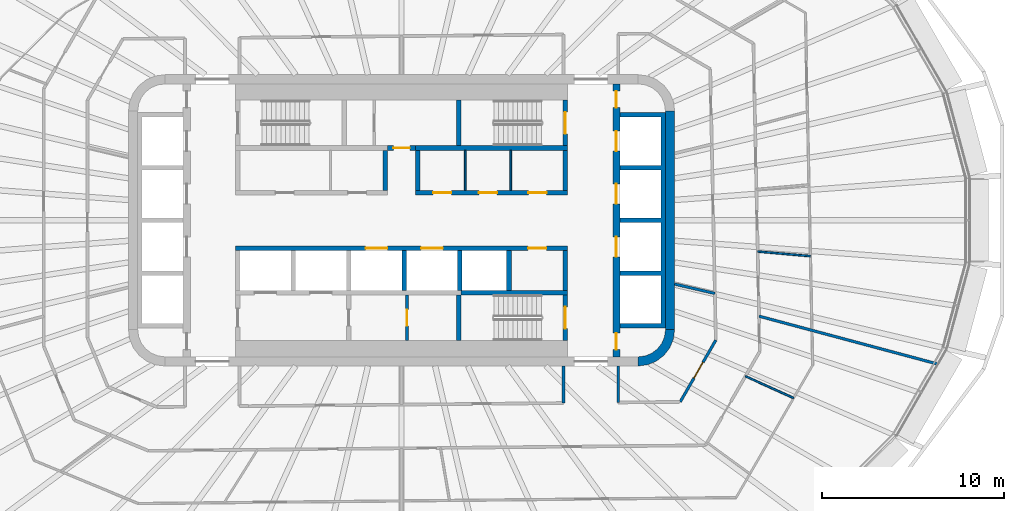
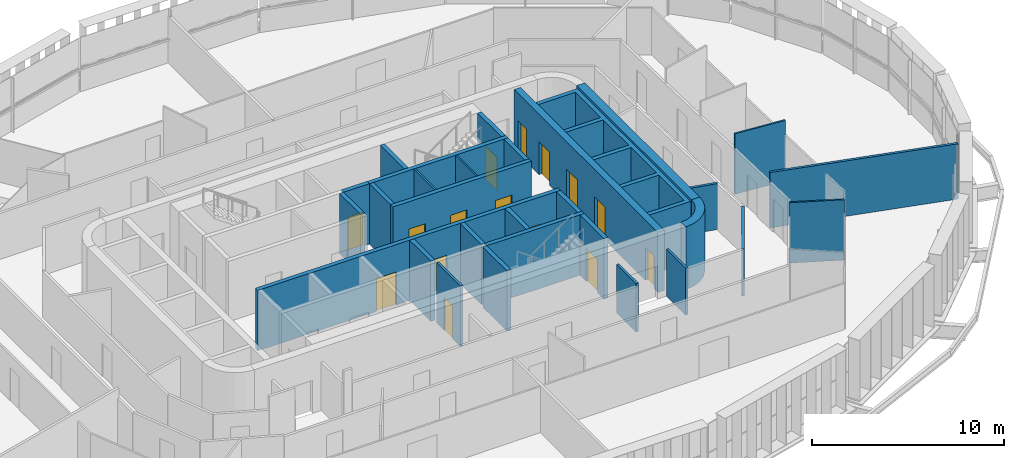
# One storey, part 13 of 23: 30 walls, 16 doors, 16 openings.
"""IFC4 building model written with IfcOpenShell, lengths in metres."""

from ifc_helpers import new_model, si_unit, direction, frame, frame_2d, origin, place, context, subcontext, project, spatial, polyline, rectangle, outline, extrude, material, layer, layer_set, type_object, element, fill, save


model = new_model("IFC4")

# Units and contexts
model_context = context("Model", 3, precision=1e-05, world=origin(), true_north=direction((0.0, 1.0)))
body_context = subcontext(model_context, "Body", "Model", "MODEL_VIEW")
ifc_project = project(units=[si_unit("LENGTHUNIT", "METRE"), si_unit("AREAUNIT", "SQUARE_METRE"), si_unit("VOLUMEUNIT", "CUBIC_METRE"), si_unit("PLANEANGLEUNIT", "RADIAN"), si_unit("MASSUNIT", "GRAM", prefix="KILO")], contexts=[model_context])

# Site, building, storey
site_placement = place(None, origin())
site = spatial("IfcSite", under=ifc_project, at=site_placement, CompositionType="ELEMENT")
building_placement = place(site_placement, origin())
building = spatial("IfcBuilding", under=site, at=building_placement, Name="Sahrelin Media Tower", CompositionType="ELEMENT")
storey_placement = place(building_placement, frame((0.0, 0.0, 169.60009765625)))
storey = spatial("IfcBuildingStorey", under=building, at=storey_placement, Name="L35", CompositionType="ELEMENT", Elevation=169.60009765625)

# Walls
ifc_material_1 = material(Name="Concrete C60/75", Category="concrete")
ifc_layer_1 = layer(ifc_material_1, 0.5)
ifc_layer_set_1 = layer_set([ifc_layer_1], Name="Core wall 500")
wall_type_1 = type_object("IfcWallType", Name="Core wall 500", PredefinedType="SHEAR", material=ifc_layer_set_1)
wall_1_placement = place(storey_placement, frame((14.75, -6.0, 0.0), z_axis=(0.0, 0.0, 1.0), x_axis=(0.0, 1.0, 0.0)))
element("IfcWall", 1, at=wall_1_placement, inside=storey, type_object=wall_type_1, Name="Core wall E L35", PredefinedType="SHEAR", context=body_context, shape_type="SweptSolid", body=[
    extrude(rectangle(XDim=12.0, YDim=0.5, at=frame_2d((6.0, 0.0))), origin(), (0.0, 0.0, 1.0), 4.0),
])
placement = place(storey_placement, origin())
element("IfcWall", 2, at=placement, inside=storey, type_object=wall_type_1, Name="Core wall corner SE L35", PredefinedType="SHEAR", context=body_context, shape_type="SweptSolid", body=[
    extrude(outline(polyline([(15.0, -6.0), (14.49560546875, -6.0), (14.44482421875, -6.38720703125), (14.29541015625, -6.747802734375), (14.0576171875, -7.0576171875), (13.747802734375, -7.29541015625), (13.38720703125, -7.44482421875), (13.0, -7.49560546875), (13.0, -8.0), (13.517578125, -7.931884765625), (14.0, -7.732177734375), (14.414306640625, -7.414306640625), (14.732177734375, -7.0), (14.931884765625, -6.517578125), (15.0, -6.0)])), origin(), (0.0, 0.0, 1.0), 4.0),
])

# Wall, opening, door
ifc_material_2 = material(Name="Fire-rated gypsum board partition")
ifc_layer_2 = layer(ifc_material_2, 0.25)
ifc_layer_set_2 = layer_set([ifc_layer_2], Name="Fire-rated lobby wall 250")
wall_type_2 = type_object("IfcWallType", Name="Fire-rated lobby wall 250", PredefinedType="PARTITIONING", material=ifc_layer_set_2)
wall_3_placement = place(storey_placement, frame((-0.77490234375, 3.97509765625, 0.0), z_axis=(0.0, 0.0, 1.0), x_axis=(1.0, 0.0, 0.0)))
wall_3 = element("IfcWall", 3, at=wall_3_placement, inside=storey, type_object=wall_type_2, Name="Core lobby wall", PredefinedType="PARTITIONING", context=body_context, shape_type="SweptSolid", body=[
    extrude(rectangle(XDim=1.5498046875, YDim=0.25, at=frame_2d((0.77490234375, 0.0))), origin(), (0.0, 0.0, 1.0), 3.849853515625),
])
opening_1_placement = place(wall_3_placement, frame((0.324951171875, 0.0, 0.0)))
opening_1 = element("IfcOpeningElement", 4, at=opening_1_placement, cuts=wall_3, Name="Opening L35-D06", PredefinedType="OPENING", context=body_context, shape_type="SweptSolid", body=[
    extrude(rectangle(XDim=0.89990234375, YDim=2.10009765625, at=frame_2d((0.449951171875, 1.050048828125))), frame((0.0, 0.125, 0.0), z_axis=(0.0, -1.0, 0.0), x_axis=(1.0, 0.0, 0.0)), (0.0, 0.0, 1.0), 0.25),
])
ifc_material_3 = material(Name="Steel fire door leaf", Category="steel")
door_type_1 = type_object("IfcDoorType", Name="Riser door 900 x 2100 EI 120", OperationType="NOTDEFINED", PredefinedType="DOOR", material=ifc_material_3)
door_1_placement = place(opening_1_placement, origin())
door_1 = element("IfcDoor", 5, at=door_1_placement, inside=storey, type_object=door_type_1, Name="Core room door", OperationType="SINGLE_SWING_LEFT", OverallHeight=2.10009765625, OverallWidth=0.89990234375, PredefinedType="DOOR", context=body_context, shape_type="SweptSolid", body=[
    extrude(rectangle(XDim=0.89990234375, YDim=2.10009765625, at=frame_2d((0.449951171875, 1.050048828125))), frame((0.0, 0.02490234375, 0.0), z_axis=(0.0, -1.0, 0.0), x_axis=(1.0, 0.0, 0.0)), (0.0, 0.0, 1.0), 0.050048828125),
])
fill(opening_1, door_1)

# Wall, openings, doors
wall_4_placement = place(storey_placement, frame((0.77490234375, 1.52490234375, 0.0), z_axis=(0.0, 0.0, 1.0), x_axis=(1.0, 0.0, 0.0)))
wall_4 = element("IfcWall", 6, at=wall_4_placement, inside=storey, type_object=wall_type_2, Name="Core lobby wall", PredefinedType="PARTITIONING", context=body_context, shape_type="SweptSolid", body=[
    extrude(rectangle(XDim=8.35009765625, YDim=0.25, at=frame_2d((4.175048828125, 0.0))), origin(), (0.0, 0.0, 1.0), 3.849853515625),
])
opening_2_placement = place(wall_4_placement, frame((0.96240234375, 0.0, 0.0)))
opening_2 = element("IfcOpeningElement", 7, at=opening_2_placement, cuts=wall_4, Name="Opening L35-D11", PredefinedType="OPENING", context=body_context, shape_type="SweptSolid", body=[
    extrude(rectangle(XDim=1.0, YDim=2.10009765625, at=frame_2d((0.5, 1.050048828125))), frame((0.0, 0.125, 0.0), z_axis=(0.0, -1.0, 0.0), x_axis=(1.0, 0.0, 0.0)), (0.0, 0.0, 1.0), 0.25),
])
opening_3_placement = place(wall_4_placement, frame((3.47509765625, 0.0, 0.0)))
opening_3 = element("IfcOpeningElement", 8, at=opening_3_placement, cuts=wall_4, Name="Opening L35-D12", PredefinedType="OPENING", context=body_context, shape_type="SweptSolid", body=[
    extrude(rectangle(XDim=1.0, YDim=2.10009765625, at=frame_2d((0.5, 1.050048828125))), frame((0.0, 0.125, 0.0), z_axis=(0.0, -1.0, 0.0), x_axis=(1.0, 0.0, 0.0)), (0.0, 0.0, 1.0), 0.25),
])
opening_4_placement = place(wall_4_placement, frame((6.1875, 0.0, 0.0)))
opening_4 = element("IfcOpeningElement", 9, at=opening_4_placement, cuts=wall_4, Name="Opening L35-D13", PredefinedType="OPENING", context=body_context, shape_type="SweptSolid", body=[
    extrude(rectangle(XDim=1.0, YDim=2.10009765625, at=frame_2d((0.5, 1.050048828125))), frame((0.0, 0.125, 0.0), z_axis=(0.0, -1.0, 0.0), x_axis=(1.0, 0.0, 0.0)), (0.0, 0.0, 1.0), 0.25),
])
door_type_2 = type_object("IfcDoorType", Name="Fire door 1000 x 2100 EI 60", OperationType="NOTDEFINED", PredefinedType="DOOR", material=ifc_material_3)
door_2_placement = place(opening_2_placement, origin())
door_2 = element("IfcDoor", 10, at=door_2_placement, inside=storey, type_object=door_type_2, Name="Core room door", OperationType="SINGLE_SWING_LEFT", OverallHeight=2.10009765625, OverallWidth=1.0, PredefinedType="DOOR", context=body_context, shape_type="SweptSolid", body=[
    extrude(rectangle(XDim=1.0, YDim=2.10009765625, at=frame_2d((0.5, 1.050048828125))), frame((0.0, 0.02490234375, 0.0), z_axis=(0.0, -1.0, 0.0), x_axis=(1.0, 0.0, 0.0)), (0.0, 0.0, 1.0), 0.050048828125),
])
fill(opening_2, door_2)
door_3_placement = place(opening_3_placement, origin())
door_3 = element("IfcDoor", 11, at=door_3_placement, inside=storey, type_object=door_type_2, Name="Core room door", OperationType="SINGLE_SWING_LEFT", OverallHeight=2.10009765625, OverallWidth=1.0, PredefinedType="DOOR", context=body_context, shape_type="SweptSolid", body=[
    extrude(rectangle(XDim=1.0, YDim=2.10009765625, at=frame_2d((0.5, 1.050048828125))), frame((0.0, 0.02490234375, 0.0), z_axis=(0.0, -1.0, 0.0), x_axis=(1.0, 0.0, 0.0)), (0.0, 0.0, 1.0), 0.050048828125),
])
fill(opening_3, door_3)
door_4_placement = place(opening_4_placement, origin())
door_4 = element("IfcDoor", 12, at=door_4_placement, inside=storey, type_object=door_type_2, Name="Core room door", OperationType="SINGLE_SWING_LEFT", OverallHeight=2.10009765625, OverallWidth=1.0, PredefinedType="DOOR", context=body_context, shape_type="SweptSolid", body=[
    extrude(rectangle(XDim=1.0, YDim=2.10009765625, at=frame_2d((0.5, 1.050048828125))), frame((0.0, 0.02490234375, 0.0), z_axis=(0.0, -1.0, 0.0), x_axis=(1.0, 0.0, 0.0)), (0.0, 0.0, 1.0), 0.050048828125),
])
fill(opening_4, door_4)

# Walls
for number, where, z_axis, x_axis, name in (
    (13, (-0.89990234375, 1.64990234375, 0.0), (0.0, 0.0, 1.0), (0.0, 1.0, 0.0), "Core lobby wall"),
    (14, (9.0, 1.64990234375, 0.0), (0.0, 0.0, 1.0), (0.0, 1.0, 0.0), "Core lobby wall"),
    (15, (0.89990234375, 1.64990234375, 0.0), (0.0, 0.0, 1.0), (0.0, 1.0, 0.0), "Core lobby wall"),
):
    element("IfcWall", number, at=place(storey_placement, frame(where, z_axis=z_axis, x_axis=x_axis)), inside=storey, type_object=wall_type_2, Name=name, PredefinedType="PARTITIONING", context=body_context, shape_type="SweptSolid", body=[
        extrude(rectangle(XDim=2.2001953125, YDim=0.25, at=frame_2d((1.10009765625, 0.0))), origin(), (0.0, 0.0, 1.0), 3.849853515625),
    ])
ifc_layer_3 = layer(ifc_material_2, 0.10009765625)
ifc_layer_set_3 = layer_set([ifc_layer_3], Name="Fire-rated partition 100")
wall_type_3 = type_object("IfcWallType", Name="Fire-rated partition 100", PredefinedType="PARTITIONING", material=ifc_layer_set_3)
for number, where, z_axis, x_axis, name in (
    (16, (3.5, 1.64990234375, 0.0), (0.0, 0.0, 1.0), (0.0, 1.0, 0.0), "Core room partition"),
    (17, (6.0, 1.64990234375, 0.0), (0.0, 0.0, 1.0), (0.0, 1.0, 0.0), "Core room partition"),
):
    element("IfcWall", number, at=place(storey_placement, frame(where, z_axis=z_axis, x_axis=x_axis)), inside=storey, type_object=wall_type_3, Name=name, PredefinedType="PARTITIONING", context=body_context, shape_type="SweptSolid", body=[
        extrude(rectangle(XDim=2.2001953125, YDim=0.10009765625, at=frame_2d((1.10009765625, 0.0))), origin(), (0.0, 0.0, 1.0), 3.849853515625),
    ])

# Wall, opening, door
ifc_layer_4 = layer(ifc_material_2, 0.14990234375)
ifc_layer_set_4 = layer_set([ifc_layer_4], Name="Fire-rated partition 150")
wall_type_4 = type_object("IfcWallType", Name="Fire-rated partition 150", PredefinedType="PARTITIONING", material=ifc_layer_set_4)
wall_5_placement = place(storey_placement, frame((0.300048828125, -6.60009765625, 0.0), z_axis=(0.0, 0.0, 1.0), x_axis=(0.0, 1.0, 0.0)))
wall_5 = element("IfcWall", 18, at=wall_5_placement, inside=storey, type_object=wall_type_4, Name="Core room fire partition", PredefinedType="PARTITIONING", context=body_context, shape_type="SweptSolid", body=[
    extrude(rectangle(XDim=2.5, YDim=0.14990234375, at=frame_2d((1.25, 0.0))), origin(), (0.0, 0.0, 1.0), 3.849853515625),
])
opening_5_placement = place(wall_5_placement, frame((0.800048828125, 0.0, 0.0)))
opening_5 = element("IfcOpeningElement", 19, at=opening_5_placement, cuts=wall_5, Name="Opening L35-D08", PredefinedType="OPENING", context=body_context, shape_type="SweptSolid", body=[
    extrude(rectangle(XDim=0.89990234375, YDim=2.10009765625, at=frame_2d((0.449951171875, 1.050048828125))), frame((0.0, 0.074951171875, 0.0), z_axis=(0.0, -1.0, 0.0), x_axis=(1.0, 0.0, 0.0)), (0.0, 0.0, 1.0), 0.14990234375),
])
door_type_3 = type_object("IfcDoorType", Name="Fire door 900 x 2100 EI 60", OperationType="NOTDEFINED", PredefinedType="DOOR", material=ifc_material_3)
door_5_placement = place(opening_5_placement, origin())
door_5 = element("IfcDoor", 20, at=door_5_placement, inside=storey, type_object=door_type_3, Name="Core room door", OperationType="SINGLE_SWING_RIGHT", OverallHeight=2.10009765625, OverallWidth=0.89990234375, PredefinedType="DOOR", context=body_context, shape_type="SweptSolid", body=[
    extrude(rectangle(XDim=0.89990234375, YDim=2.10009765625, at=frame_2d((0.449951171875, 1.050048828125))), frame((0.0, 0.02490234375, 0.0), z_axis=(0.0, -1.0, 0.0), x_axis=(1.0, 0.0, 0.0)), (0.0, 0.0, 1.0), 0.050048828125),
])
fill(opening_5, door_5)

# Walls
wall_6_placement = place(storey_placement, frame((19.635986328125, -5.261962890625, 0.0), z_axis=(0.0, 0.0, 1.0), x_axis=(0.965927163809, -0.258814053357, 0.0)))
element("IfcWall", 21, at=wall_6_placement, inside=storey, type_object=wall_type_4, Name="Wall", PredefinedType="PARTITIONING", context=body_context, shape_type="SweptSolid", body=[
    extrude(rectangle(XDim=10.173583984375, YDim=0.14990234375, at=frame_2d((5.0869140625, 0.0))), origin(), (0.0, 0.0, 1.0), 3.526611328125),
])
wall_7_placement = place(storey_placement, frame((15.0, -3.4990234375, 0.0), z_axis=(0.0, 0.0, 1.0), x_axis=(0.973869783381, -0.22710712234, 0.0)))
element("IfcWall", 22, at=wall_7_placement, inside=storey, type_object=wall_type_4, Name="Wall", PredefinedType="PARTITIONING", context=body_context, shape_type="SweptSolid", body=[
    extrude(rectangle(XDim=2.268310546875, YDim=0.14990234375, at=frame_2d((1.13427734375, 0.0))), origin(), (0.0, 0.0, 1.0), 2.927001953125),
])

# Wall, opening, door
wall_8_placement = place(storey_placement, frame((15.305908203125, -9.968994140625, 0.0), z_axis=(0.0, 0.0, 1.0), x_axis=(0.499690037699, 0.866204286658, 0.0)))
wall_8 = element("IfcWall", 23, at=wall_8_placement, inside=storey, type_object=wall_type_4, Name="Wall", PredefinedType="PARTITIONING", context=body_context, shape_type="SweptSolid", body=[
    extrude(rectangle(XDim=3.912109375, YDim=0.14990234375, at=frame_2d((1.9560546875, 0.0))), origin(), (0.0, 0.0, 1.0), 2.994873046875),
])
opening_6_placement = place(wall_8_placement, frame((1.51318359375, 0.0, 0.0)))
opening_6 = element("IfcOpeningElement", 24, at=opening_6_placement, cuts=wall_8, Name="Opening L35-D25", PredefinedType="OPENING", context=body_context, shape_type="SweptSolid", body=[
    extrude(rectangle(XDim=1.0, YDim=2.10009765625, at=frame_2d((0.5, 1.050048828125))), frame((0.0, 0.074951171875, 0.0), z_axis=(0.0, -1.0, 0.0), x_axis=(1.0, 0.0, 0.0)), (0.0, 0.0, 1.0), 0.14990234375),
])
door_6_placement = place(opening_6_placement, origin())
door_6 = element("IfcDoor", 25, at=door_6_placement, inside=storey, type_object=door_type_2, Name="Fire door", OperationType="SINGLE_SWING_RIGHT", OverallHeight=2.10009765625, OverallWidth=1.0, PredefinedType="DOOR", context=body_context, shape_type="SweptSolid", body=[
    extrude(rectangle(XDim=1.0, YDim=2.10009765625, at=frame_2d((0.5, 1.050048828125))), frame((0.0, 0.02490234375, 0.0), z_axis=(0.0, -1.0, 0.0), x_axis=(1.0, 0.0, 0.0)), (0.0, 0.0, 1.0), 0.050048828125),
])
fill(opening_6, door_6)

# Walls
wall_9_placement = place(storey_placement, frame((11.89990234375, -10.0, 0.0), z_axis=(0.0, 0.0, 1.0), x_axis=(0.0, 1.0, 0.0)))
element("IfcWall", 26, at=wall_9_placement, inside=storey, type_object=wall_type_4, Name="Wall", PredefinedType="PARTITIONING", context=body_context, shape_type="SweptSolid", body=[
    extrude(rectangle(XDim=2.0, YDim=0.14990234375, at=frame_2d((1.0, 0.0))), origin(), (0.0, 0.0, 1.0), 2.994873046875),
])
wall_10_placement = place(storey_placement, frame((8.89990234375, -10.032958984375, 0.0), z_axis=(0.0, 0.0, 1.0), x_axis=(0.0, 1.0, 0.0)))
element("IfcWall", 27, at=wall_10_placement, inside=storey, type_object=wall_type_4, Name="Wall", PredefinedType="PARTITIONING", context=body_context, shape_type="SweptSolid", body=[
    extrude(rectangle(XDim=2.032958984375, YDim=0.14990234375, at=frame_2d((1.0166015625, 0.0))), origin(), (0.0, 0.0, 1.0), 3.075927734375),
])

# Wall, openings, doors
ifc_layer_5 = layer(ifc_material_1, 0.25)
ifc_layer_set_5 = layer_set([ifc_layer_5], Name="Lift shaft wall 250")
wall_type_5 = type_object("IfcWallType", Name="Lift shaft wall 250", PredefinedType="SOLIDWALL", material=ifc_layer_set_5)
wall_11_placement = place(storey_placement, frame((-9.125, -1.52490234375, 0.0), z_axis=(0.0, 0.0, 1.0), x_axis=(1.0, 0.0, 0.0)))
wall_11 = element("IfcWall", 28, at=wall_11_placement, inside=storey, type_object=wall_type_5, Name="Lift shaft wall", PredefinedType="SOLIDWALL", context=body_context, shape_type="SweptSolid", body=[
    extrude(rectangle(XDim=18.25, YDim=0.25, at=frame_2d((9.125, 0.0))), origin(), (0.0, 0.0, 1.0), 3.849853515625),
])
opening_7_placement = place(wall_11_placement, frame((7.14990234375, 0.0, 0.0)))
opening_7 = element("IfcOpeningElement", 29, at=opening_7_placement, cuts=wall_11, Name="Opening L35-LD-SV1", PredefinedType="OPENING", context=body_context, shape_type="SweptSolid", body=[
    extrude(rectangle(XDim=1.199951171875, YDim=2.10009765625, at=frame_2d((0.60009765625, 1.050048828125))), frame((0.0, 0.125, 0.0), z_axis=(0.0, -1.0, 0.0), x_axis=(1.0, 0.0, 0.0)), (0.0, 0.0, 1.0), 0.25),
])
opening_8_placement = place(wall_11_placement, frame((10.199951171875, 0.0, 0.0)))
opening_8 = element("IfcOpeningElement", 30, at=opening_8_placement, cuts=wall_11, Name="Opening L35-LD-SV2", PredefinedType="OPENING", context=body_context, shape_type="SweptSolid", body=[
    extrude(rectangle(XDim=1.199951171875, YDim=2.10009765625, at=frame_2d((0.60009765625, 1.050048828125))), frame((0.0, 0.125, 0.0), z_axis=(0.0, -1.0, 0.0), x_axis=(1.0, 0.0, 0.0)), (0.0, 0.0, 1.0), 0.25),
])
opening_9_placement = place(wall_11_placement, frame((16.074951171875, 0.0, 0.0)))
opening_9 = element("IfcOpeningElement", 31, at=opening_9_placement, cuts=wall_11, Name="Opening L35-D14", PredefinedType="OPENING", context=body_context, shape_type="SweptSolid", body=[
    extrude(rectangle(XDim=1.0, YDim=2.10009765625, at=frame_2d((0.5, 1.050048828125))), frame((0.0, 0.125, 0.0), z_axis=(0.0, -1.0, 0.0), x_axis=(1.0, 0.0, 0.0)), (0.0, 0.0, 1.0), 0.25),
])
door_7_placement = place(opening_9_placement, origin())
door_7 = element("IfcDoor", 32, at=door_7_placement, inside=storey, type_object=door_type_2, Name="Core room door", OperationType="SINGLE_SWING_RIGHT", OverallHeight=2.10009765625, OverallWidth=1.0, PredefinedType="DOOR", context=body_context, shape_type="SweptSolid", body=[
    extrude(rectangle(XDim=1.0, YDim=2.10009765625, at=frame_2d((0.5, 1.050048828125))), frame((0.0, 0.02490234375, 0.0), z_axis=(0.0, -1.0, 0.0), x_axis=(1.0, 0.0, 0.0)), (0.0, 0.0, 1.0), 0.050048828125),
])
fill(opening_9, door_7)
ifc_material_4 = material(Name="Stainless steel", Category="steel")
door_type_4 = type_object("IfcDoorType", Name="Lift landing door 1200 x 2100 EI 120", OperationType="DOUBLE_DOOR_SLIDING", PredefinedType="DOOR", material=ifc_material_4)
door_8_placement = place(opening_7_placement, origin())
door_8 = element("IfcDoor", 33, at=door_8_placement, inside=storey, type_object=door_type_4, Name="Lift landing door SV1", OperationType="DOUBLE_DOOR_SLIDING", OverallHeight=2.10009765625, OverallWidth=1.199951171875, PredefinedType="DOOR", context=body_context, shape_type="SweptSolid", body=[
    extrude(rectangle(XDim=1.199951171875, YDim=2.10009765625, at=frame_2d((0.60009765625, 1.050048828125))), frame((0.0, 0.02490234375, 0.0), z_axis=(0.0, -1.0, 0.0), x_axis=(1.0, 0.0, 0.0)), (0.0, 0.0, 1.0), 0.050048828125),
])
fill(opening_7, door_8)
door_9_placement = place(opening_8_placement, origin())
door_9 = element("IfcDoor", 34, at=door_9_placement, inside=storey, type_object=door_type_4, Name="Lift landing door SV2", OperationType="DOUBLE_DOOR_SLIDING", OverallHeight=2.10009765625, OverallWidth=1.199951171875, PredefinedType="DOOR", context=body_context, shape_type="SweptSolid", body=[
    extrude(rectangle(XDim=1.199951171875, YDim=2.10009765625, at=frame_2d((0.60009765625, 1.050048828125))), frame((0.0, 0.02490234375, 0.0), z_axis=(0.0, -1.0, 0.0), x_axis=(1.0, 0.0, 0.0)), (0.0, 0.0, 1.0), 0.050048828125),
])
fill(opening_8, door_9)

# Walls
wall_12_placement = place(storey_placement, frame((3.27490234375, -3.97509765625, 0.0), z_axis=(0.0, 0.0, 1.0), x_axis=(1.0, 0.0, 0.0)))
element("IfcWall", 35, at=wall_12_placement, inside=storey, type_object=wall_type_5, Name="Lift shaft wall", PredefinedType="SOLIDWALL", context=body_context, shape_type="SweptSolid", body=[
    extrude(rectangle(XDim=5.85009765625, YDim=0.25, at=frame_2d((2.925048828125, 0.0))), origin(), (0.0, 0.0, 1.0), 3.849853515625),
])
for number, where, z_axis, x_axis, name in (
    (36, (0.14990234375, -3.85009765625, 0.0), (0.0, 0.0, 1.0), (0.0, 1.0, 0.0), "Lift shaft wall"),
    (37, (3.199951171875, -3.85009765625, 0.0), (0.0, 0.0, 1.0), (0.0, 1.0, 0.0), "Lift shaft wall"),
    (38, (5.89990234375, -3.85009765625, 0.0), (0.0, 0.0, 1.0), (0.0, 1.0, 0.0), "Lift shaft wall"),
    (39, (9.0, -3.85009765625, 0.0), (0.0, 0.0, 1.0), (0.0, 1.0, 0.0), "Lift shaft wall"),
):
    element("IfcWall", number, at=place(storey_placement, frame(where, z_axis=z_axis, x_axis=x_axis)), inside=storey, type_object=wall_type_5, Name=name, PredefinedType="SOLIDWALL", context=body_context, shape_type="SweptSolid", body=[
        extrude(rectangle(XDim=2.2001953125, YDim=0.25, at=frame_2d((1.10009765625, 0.0))), origin(), (0.0, 0.0, 1.0), 3.849853515625),
    ])
element("IfcWall", 40, at=placement, inside=storey, type_object=wall_type_5, Name="Lift shaft wall", PredefinedType="SOLIDWALL", context=body_context, shape_type="SweptSolid", body=[
    extrude(outline(polyline([(12.0, -5.675048828125), (12.0, -5.925048828125), (14.25, -5.925048828125), (14.5, -5.925048828125), (14.5, -5.675048828125), (14.5, -3.02490234375), (14.5, -2.77490234375), (14.5, -0.125), (14.5, 0.125), (14.5, 2.77490234375), (14.5, 3.02490234375), (14.5, 5.675048828125), (14.5, 5.925048828125), (14.25, 5.925048828125), (12.0, 5.925048828125), (12.0, 5.675048828125), (14.25, 5.675048828125), (14.25, 3.02490234375), (12.0, 3.02490234375), (12.0, 2.77490234375), (14.25, 2.77490234375), (14.25, 0.125), (12.0, 0.125), (12.0, -0.125), (14.25, -0.125), (14.25, -2.77490234375), (12.0, -2.77490234375), (12.0, -3.02490234375), (14.25, -3.02490234375), (14.25, -5.675048828125), (12.0, -5.675048828125)])), origin(), (0.0, 0.0, 1.0), 3.849853515625),
])

# Wall, openings, doors
ifc_layer_6 = layer(ifc_material_1, 0.39990234375)
ifc_layer_set_6 = layer_set([ifc_layer_6], Name="Lift shaft wall 400")
wall_type_6 = type_object("IfcWallType", Name="Lift shaft wall 400", PredefinedType="SOLIDWALL", material=ifc_layer_set_6)
wall_14_placement = place(storey_placement, frame((11.800048828125, -7.5, 0.0), z_axis=(0.0, 0.0, 1.0), x_axis=(0.0, 1.0, 0.0)))
wall_14 = element("IfcWall", 41, at=wall_14_placement, inside=storey, type_object=wall_type_6, Name="Lift shaft wall", PredefinedType="SOLIDWALL", context=body_context, shape_type="SweptSolid", body=[
    extrude(rectangle(XDim=15.0, YDim=0.39990234375, at=frame_2d((7.5, 0.0))), origin(), (0.0, 0.0, 1.0), 3.849853515625),
])
opening_10_placement = place(wall_14_placement, frame((11.300048828125, 0.0, 0.0)))
opening_10 = element("IfcOpeningElement", 42, at=opening_10_placement, cuts=wall_14, Name="Opening L35-LD-LR4", PredefinedType="OPENING", context=body_context, shape_type="SweptSolid", body=[
    extrude(rectangle(XDim=1.10009765625, YDim=2.10009765625, at=frame_2d((0.550048828125, 1.050048828125))), frame((0.0, 0.199951171875, 0.0), z_axis=(0.0, -1.0, 0.0), x_axis=(1.0, 0.0, 0.0)), (0.0, 0.0, 1.0), 0.39990234375),
])
opening_11_placement = place(wall_14_placement, frame((8.39990234375, 0.0, 0.0)))
opening_11 = element("IfcOpeningElement", 43, at=opening_11_placement, cuts=wall_14, Name="Opening L35-LD-LR5", PredefinedType="OPENING", context=body_context, shape_type="SweptSolid", body=[
    extrude(rectangle(XDim=1.10009765625, YDim=2.10009765625, at=frame_2d((0.550048828125, 1.050048828125))), frame((0.0, 0.199951171875, 0.0), z_axis=(0.0, -1.0, 0.0), x_axis=(1.0, 0.0, 0.0)), (0.0, 0.0, 1.0), 0.39990234375),
])
opening_12_placement = place(wall_14_placement, frame((5.5, 0.0, 0.0)))
opening_12 = element("IfcOpeningElement", 44, at=opening_12_placement, cuts=wall_14, Name="Opening L35-LD-LR6", PredefinedType="OPENING", context=body_context, shape_type="SweptSolid", body=[
    extrude(rectangle(XDim=1.10009765625, YDim=2.10009765625, at=frame_2d((0.550048828125, 1.050048828125))), frame((0.0, 0.199951171875, 0.0), z_axis=(0.0, -1.0, 0.0), x_axis=(1.0, 0.0, 0.0)), (0.0, 0.0, 1.0), 0.39990234375),
])
opening_13_placement = place(wall_14_placement, frame((13.696533203125, 0.0, 0.0)))
opening_13 = element("IfcOpeningElement", 45, at=opening_13_placement, cuts=wall_14, Name="Opening L35-D17", PredefinedType="OPENING", context=body_context, shape_type="SweptSolid", body=[
    extrude(rectangle(XDim=0.89990234375, YDim=2.10009765625, at=frame_2d((0.449951171875, 1.050048828125))), frame((0.0, 0.199951171875, 0.0), z_axis=(0.0, -1.0, 0.0), x_axis=(1.0, 0.0, 0.0)), (0.0, 0.0, 1.0), 0.39990234375),
])
opening_14_placement = place(wall_14_placement, frame((0.4033203125, 0.0, 0.0)))
opening_14 = element("IfcOpeningElement", 46, at=opening_14_placement, cuts=wall_14, Name="Opening L35-D18", PredefinedType="OPENING", context=body_context, shape_type="SweptSolid", body=[
    extrude(rectangle(XDim=0.89990234375, YDim=2.10009765625, at=frame_2d((0.449951171875, 1.050048828125))), frame((0.0, 0.199951171875, 0.0), z_axis=(0.0, -1.0, 0.0), x_axis=(1.0, 0.0, 0.0)), (0.0, 0.0, 1.0), 0.39990234375),
])
door_type_5 = type_object("IfcDoorType", Name="Lift landing door 1100 x 2100 EI 120", OperationType="DOUBLE_DOOR_SLIDING", PredefinedType="DOOR", material=ifc_material_4)
door_10_placement = place(opening_10_placement, origin())
door_10 = element("IfcDoor", 47, at=door_10_placement, inside=storey, type_object=door_type_5, Name="Lift landing door LR4", OperationType="DOUBLE_DOOR_SLIDING", OverallHeight=2.10009765625, OverallWidth=1.10009765625, PredefinedType="DOOR", context=body_context, shape_type="SweptSolid", body=[
    extrude(rectangle(XDim=1.10009765625, YDim=2.10009765625, at=frame_2d((0.550048828125, 1.050048828125))), frame((0.0, 0.02490234375, 0.0), z_axis=(0.0, -1.0, 0.0), x_axis=(1.0, 0.0, 0.0)), (0.0, 0.0, 1.0), 0.050048828125),
])
fill(opening_10, door_10)
door_11_placement = place(opening_11_placement, origin())
door_11 = element("IfcDoor", 48, at=door_11_placement, inside=storey, type_object=door_type_5, Name="Lift landing door LR5", OperationType="DOUBLE_DOOR_SLIDING", OverallHeight=2.10009765625, OverallWidth=1.10009765625, PredefinedType="DOOR", context=body_context, shape_type="SweptSolid", body=[
    extrude(rectangle(XDim=1.10009765625, YDim=2.10009765625, at=frame_2d((0.550048828125, 1.050048828125))), frame((0.0, 0.02490234375, 0.0), z_axis=(0.0, -1.0, 0.0), x_axis=(1.0, 0.0, 0.0)), (0.0, 0.0, 1.0), 0.050048828125),
])
fill(opening_11, door_11)
door_12_placement = place(opening_12_placement, origin())
door_12 = element("IfcDoor", 49, at=door_12_placement, inside=storey, type_object=door_type_5, Name="Lift landing door LR6", OperationType="DOUBLE_DOOR_SLIDING", OverallHeight=2.10009765625, OverallWidth=1.10009765625, PredefinedType="DOOR", context=body_context, shape_type="SweptSolid", body=[
    extrude(rectangle(XDim=1.10009765625, YDim=2.10009765625, at=frame_2d((0.550048828125, 1.050048828125))), frame((0.0, 0.02490234375, 0.0), z_axis=(0.0, -1.0, 0.0), x_axis=(1.0, 0.0, 0.0)), (0.0, 0.0, 1.0), 0.050048828125),
])
fill(opening_12, door_12)
door_13_placement = place(opening_13_placement, origin())
door_13 = element("IfcDoor", 50, at=door_13_placement, inside=storey, type_object=door_type_1, Name="Riser door", OperationType="SINGLE_SWING_RIGHT", OverallHeight=2.10009765625, OverallWidth=0.89990234375, PredefinedType="DOOR", context=body_context, shape_type="SweptSolid", body=[
    extrude(rectangle(XDim=0.89990234375, YDim=2.10009765625, at=frame_2d((0.449951171875, 1.050048828125))), frame((0.0, 0.02490234375, 0.0), z_axis=(0.0, -1.0, 0.0), x_axis=(1.0, 0.0, 0.0)), (0.0, 0.0, 1.0), 0.050048828125),
])
fill(opening_13, door_13)
door_14_placement = place(opening_14_placement, origin())
door_14 = element("IfcDoor", 51, at=door_14_placement, inside=storey, type_object=door_type_1, Name="Riser door", OperationType="SINGLE_SWING_RIGHT", OverallHeight=2.10009765625, OverallWidth=0.89990234375, PredefinedType="DOOR", context=body_context, shape_type="SweptSolid", body=[
    extrude(rectangle(XDim=0.89990234375, YDim=2.10009765625, at=frame_2d((0.449951171875, 1.050048828125))), frame((0.0, 0.02490234375, 0.0), z_axis=(0.0, -1.0, 0.0), x_axis=(1.0, 0.0, 0.0)), (0.0, 0.0, 1.0), 0.050048828125),
])
fill(opening_14, door_14)

# Walls
ifc_material_5 = material(Name="Gypsum board partition")
ifc_layer_7 = layer(ifc_material_5, 0.10009765625)
ifc_layer_set_7 = layer_set([ifc_layer_7], Name="Partition 100")
wall_type_7 = type_object("IfcWallType", Name="Partition 100", PredefinedType="PARTITIONING", material=ifc_layer_set_7)
wall_15_placement = place(storey_placement, frame((18.889892578125, -8.56201171875, 0.0), z_axis=(0.0, 0.0, 1.0), x_axis=(0.910794966467, -0.412858969939, 0.0)))
element("IfcWall", 52, at=wall_15_placement, inside=storey, type_object=wall_type_7, Name="Wall", PredefinedType="PARTITIONING", context=body_context, shape_type="SweptSolid", body=[
    extrude(rectangle(XDim=2.904052734375, YDim=0.10009765625, at=frame_2d((1.4521484375, 0.0))), origin(), (0.0, 0.0, 1.0), 3.849853515625),
])
wall_16_placement = place(storey_placement, frame((19.56298828125, -1.7119140625, 0.0), z_axis=(0.0, 0.0, 1.0), x_axis=(0.9962004602, -0.087089856452, 0.0)))
element("IfcWall", 53, at=wall_16_placement, inside=storey, type_object=wall_type_7, Name="Wall", PredefinedType="PARTITIONING", context=body_context, shape_type="SweptSolid", body=[
    extrude(rectangle(XDim=2.906982421875, YDim=0.10009765625, at=frame_2d((1.45361328125, 0.0))), origin(), (0.0, 0.0, 1.0), 3.849853515625),
])

# Wall, opening, door
ifc_layer_8 = layer(ifc_material_1, 0.25)
ifc_layer_set_8 = layer_set([ifc_layer_8], Name="Stair enclosure wall 250")
wall_type_8 = type_object("IfcWallType", Name="Stair enclosure wall 250", PredefinedType="SOLIDWALL", material=ifc_layer_set_8)
wall_17_placement = place(storey_placement, frame((9.0, 4.10009765625, 0.0), z_axis=(0.0, 0.0, 1.0), x_axis=(0.0, 1.0, 0.0)))
wall_17 = element("IfcWall", 54, at=wall_17_placement, inside=storey, type_object=wall_type_8, Name="Stair enclosure wall", PredefinedType="SOLIDWALL", context=body_context, shape_type="SweptSolid", body=[
    extrude(rectangle(XDim=2.5, YDim=0.25, at=frame_2d((1.25, 0.0))), origin(), (0.0, 0.0, 1.0), 3.849853515625),
])
opening_15_placement = place(wall_17_placement, frame((0.64990234375, 0.0, 0.0)))
opening_15 = element("IfcOpeningElement", 55, at=opening_15_placement, cuts=wall_17, Name="Opening L35-D02", PredefinedType="OPENING", context=body_context, shape_type="SweptSolid", body=[
    extrude(rectangle(XDim=1.199951171875, YDim=2.10009765625, at=frame_2d((0.60009765625, 1.050048828125))), frame((0.0, 0.125, 0.0), z_axis=(0.0, -1.0, 0.0), x_axis=(1.0, 0.0, 0.0)), (0.0, 0.0, 1.0), 0.25),
])
door_type_6 = type_object("IfcDoorType", Name="Stair door 1200 x 2100 EI 120", OperationType="NOTDEFINED", PredefinedType="DOOR", material=ifc_material_3)
door_15_placement = place(opening_15_placement, origin())
door_15 = element("IfcDoor", 56, at=door_15_placement, inside=storey, type_object=door_type_6, Name="Stair door ST3", OperationType="SINGLE_SWING_LEFT", OverallHeight=2.10009765625, OverallWidth=1.199951171875, PredefinedType="DOOR", context=body_context, shape_type="SweptSolid", body=[
    extrude(rectangle(XDim=1.199951171875, YDim=2.10009765625, at=frame_2d((0.60009765625, 1.050048828125))), frame((0.0, 0.02490234375, 0.0), z_axis=(0.0, -1.0, 0.0), x_axis=(1.0, 0.0, 0.0)), (0.0, 0.0, 1.0), 0.050048828125),
])
fill(opening_15, door_15)

wall_18_placement = place(storey_placement, frame((9.0, -6.60009765625, 0.0), z_axis=(0.0, 0.0, 1.0), x_axis=(0.0, 1.0, 0.0)))
wall_18 = element("IfcWall", 57, at=wall_18_placement, inside=storey, type_object=wall_type_8, Name="Stair enclosure wall", PredefinedType="SOLIDWALL", context=body_context, shape_type="SweptSolid", body=[
    extrude(rectangle(XDim=2.5, YDim=0.25, at=frame_2d((1.25, 0.0))), origin(), (0.0, 0.0, 1.0), 3.849853515625),
])
opening_16_placement = place(wall_18_placement, frame((0.64990234375, 0.0, 0.0)))
opening_16 = element("IfcOpeningElement", 58, at=opening_16_placement, cuts=wall_18, Name="Opening L35-D03", PredefinedType="OPENING", context=body_context, shape_type="SweptSolid", body=[
    extrude(rectangle(XDim=1.199951171875, YDim=2.10009765625, at=frame_2d((0.60009765625, 1.050048828125))), frame((0.0, 0.125, 0.0), z_axis=(0.0, -1.0, 0.0), x_axis=(1.0, 0.0, 0.0)), (0.0, 0.0, 1.0), 0.25),
])
door_16_placement = place(opening_16_placement, origin())
door_16 = element("IfcDoor", 59, at=door_16_placement, inside=storey, type_object=door_type_6, Name="Stair door ST2", OperationType="SINGLE_SWING_LEFT", OverallHeight=2.10009765625, OverallWidth=1.199951171875, PredefinedType="DOOR", context=body_context, shape_type="SweptSolid", body=[
    extrude(rectangle(XDim=1.199951171875, YDim=2.10009765625, at=frame_2d((0.60009765625, 1.050048828125))), frame((0.0, 0.02490234375, 0.0), z_axis=(0.0, -1.0, 0.0), x_axis=(1.0, 0.0, 0.0)), (0.0, 0.0, 1.0), 0.050048828125),
])
fill(opening_16, door_16)

# Walls
for number, where, z_axis, x_axis, name in (
    (60, (3.14990234375, 4.10009765625, 0.0), (0.0, 0.0, 1.0), (0.0, 1.0, 0.0), "Stair enclosure wall"),
    (61, (3.14990234375, -6.60009765625, 0.0), (0.0, 0.0, 1.0), (0.0, 1.0, 0.0), "Stair enclosure wall"),
):
    element("IfcWall", number, at=place(storey_placement, frame(where, z_axis=z_axis, x_axis=x_axis)), inside=storey, type_object=wall_type_8, Name=name, PredefinedType="SOLIDWALL", context=body_context, shape_type="SweptSolid", body=[
        extrude(rectangle(XDim=2.5, YDim=0.25, at=frame_2d((1.25, 0.0))), origin(), (0.0, 0.0, 1.0), 3.849853515625),
    ])
wall_19_placement = place(storey_placement, frame((0.77490234375, 3.97509765625, 0.0), z_axis=(0.0, 0.0, 1.0), x_axis=(1.0, 0.0, 0.0)))
element("IfcWall", 62, at=wall_19_placement, inside=storey, type_object=wall_type_8, Name="Stair enclosure wall", PredefinedType="SOLIDWALL", context=body_context, shape_type="SweptSolid", body=[
    extrude(rectangle(XDim=8.35009765625, YDim=0.25, at=frame_2d((4.175048828125, 0.0))), origin(), (0.0, 0.0, 1.0), 3.849853515625),
])

save(model, "model.ifc")
